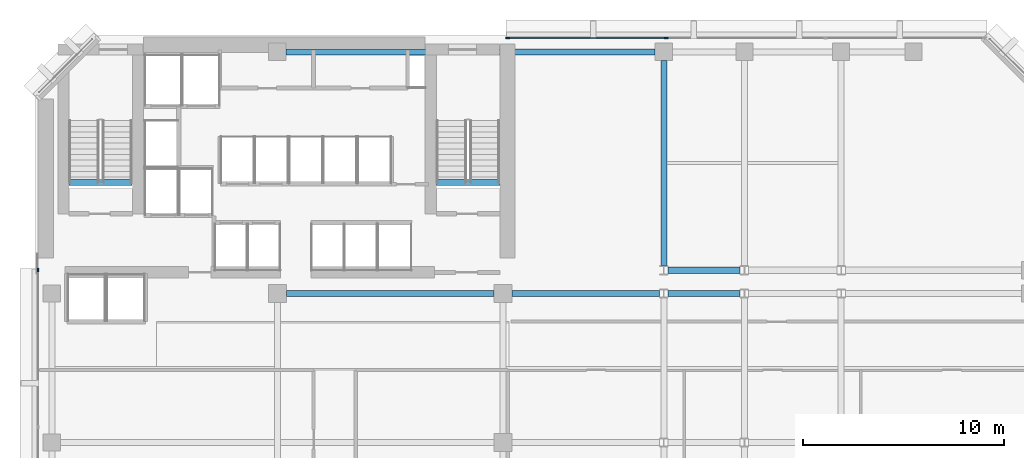
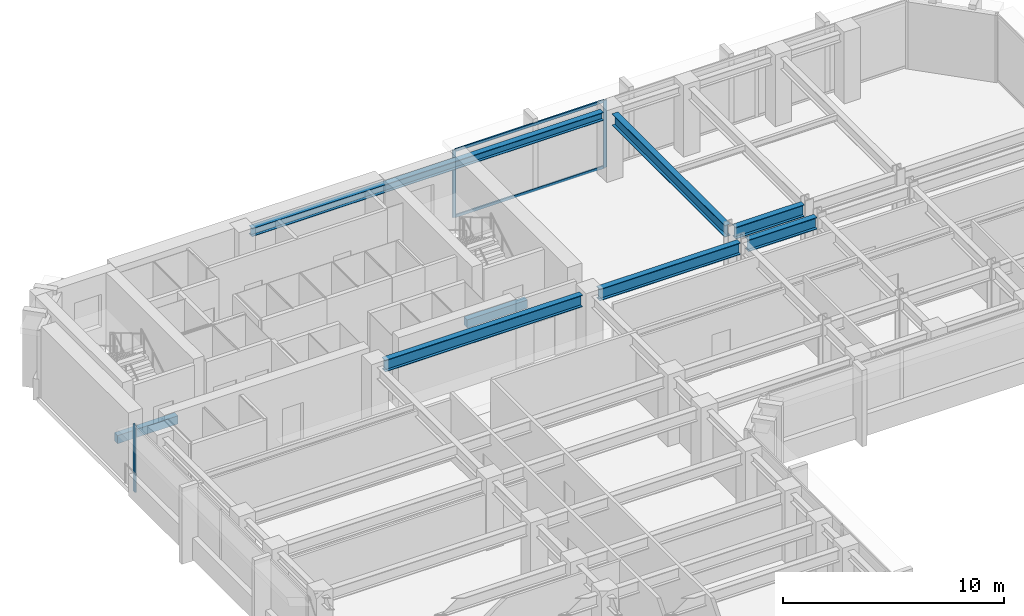
# One storey, part 4 of 12: 8 beams, 5 members, 2 elements without a shape of their own.
"""IFC4 building model written with IfcOpenShell, lengths in metres."""

from ifc_helpers import new_model, si_unit, direction, frame, origin, origin_2d, place, context, subcontext, project, spatial, rectangle, i_section, extrude, material, layer, layer_set, material_profile, profile_set, type_object, element, aggregate, save


model = new_model("IFC4")

# Units and contexts
model_context = context("Model", 3, precision=1e-05, world=origin(), true_north=direction((0.0, 1.0)))
body_context = subcontext(model_context, "Body", "Model", "MODEL_VIEW")
ifc_project = project(units=[si_unit("LENGTHUNIT", "METRE"), si_unit("AREAUNIT", "SQUARE_METRE"), si_unit("VOLUMEUNIT", "CUBIC_METRE"), si_unit("PLANEANGLEUNIT", "RADIAN"), si_unit("MASSUNIT", "GRAM", prefix="KILO")], contexts=[model_context])

# Site, building, storey
site_placement = place(None, origin())
site = spatial("IfcSite", under=ifc_project, at=site_placement, CompositionType="ELEMENT")
building_placement = place(site_placement, origin())
building = spatial("IfcBuilding", under=site, at=building_placement, Name="Kefirva Bronze Tower", CompositionType="ELEMENT")
storey_placement = place(building_placement, frame((0.0, 0.0, 114.510009765625)))
storey = spatial("IfcBuildingStorey", under=building, at=storey_placement, Name="L27", CompositionType="ELEMENT", Elevation=114.510009765625)

# Curtain wall, members
ifc_material_1 = material(Name="Bronze anodised aluminium", Category="aluminium")
ifc_layer = layer(ifc_material_1, 0.199951171875, Name="Bronze anodised aluminium")
ifc_layer_set = layer_set([ifc_layer], Name="Bronze anodised aluminium")
curtain_wall_type = type_object("IfcCurtainWallType", Name="Unitised Bronze Ribbon Curtain Wall Zone 2", PredefinedType="USERDEFINED", material=ifc_layer_set)
curtain_wall_1_placement = place(storey_placement, origin())
curtain_wall_1 = element("IfcCurtainWall", 1, at=curtain_wall_1_placement, inside=storey, type_object=curtain_wall_type, Name="L27 Curtain Wall 5", ObjectType="UNITISED CURTAIN WALL", PredefinedType="USERDEFINED")
ifc_material_profile_1 = material_profile(ifc_material_1, rectangle(XDim=0.074951171875, YDim=0.179931640625, at=origin_2d()), Name="ALU 75x180")
ifc_profile_set_1 = profile_set([ifc_material_profile_1], Name="Bronze anodised aluminium")
member_type_1 = type_object("IfcMemberType", Name="Bronze Mullion 75x180", PredefinedType="MULLION", material=ifc_profile_set_1)
member_1_placement = place(storey_placement, frame((31.318359375, 45.8798828125, 0.0), z_axis=(0.0, 0.0, 1.0), x_axis=(0.0, -1.0, 0.0)))
member_1 = element("IfcMember", 2, at=member_1_placement, type_object=member_type_1, Name="CW-02 mullion 3", PredefinedType="MULLION", context=body_context, shape_type="SweptSolid", body=[
    extrude(rectangle(XDim=0.074951171875, YDim=0.179931640625, at=origin_2d()), origin(), (0.0, 0.0, 1.0), 3.7099609375),
])
member_2_placement = place(storey_placement, frame((23.4423828125, 45.8798828125, 0.0), z_axis=(0.0, 0.0, 1.0), x_axis=(0.0, -1.0, 0.0)))
member_2 = element("IfcMember", 3, at=member_2_placement, type_object=member_type_1, Name="CW-02 mullion 4", PredefinedType="MULLION", context=body_context, shape_type="SweptSolid", body=[
    extrude(rectangle(XDim=0.074951171875, YDim=0.179931640625, at=origin_2d()), origin(), (0.0, 0.0, 1.0), 3.7099609375),
])

# Curtain wall, member
curtain_wall_2_placement = place(storey_placement, origin())
curtain_wall_2 = element("IfcCurtainWall", 4, at=curtain_wall_2_placement, inside=storey, type_object=curtain_wall_type, Name="L27 Curtain Wall 6", ObjectType="UNITISED CURTAIN WALL", PredefinedType="USERDEFINED")
member_3_placement = place(storey_placement, frame((0.1201171875, 34.357421875, 0.0), z_axis=(0.0, 0.0, 1.0), x_axis=(1.0, 0.0, 0.0)))
member_3 = element("IfcMember", 5, at=member_3_placement, type_object=member_type_1, Name="CW-02 mullion 1", PredefinedType="MULLION", context=body_context, shape_type="SweptSolid", body=[
    extrude(rectangle(XDim=0.074951171875, YDim=0.179931640625, at=origin_2d()), origin(), (0.0, 0.0, 1.0), 3.7099609375),
])
aggregate(curtain_wall_2, [member_3])

# Member
ifc_material_profile_2 = material_profile(ifc_material_1, rectangle(XDim=0.074951171875, YDim=0.14990234375, at=origin_2d()), Name="ALU 75x150")
ifc_profile_set_2 = profile_set([ifc_material_profile_2], Name="Bronze anodised aluminium")
member_type_2 = type_object("IfcMemberType", Name="Bronze Transom 75x150", PredefinedType="USERDEFINED", material=ifc_profile_set_2)
member_4_placement = place(storey_placement, frame((31.28076171875, 45.8798828125, 0.03759765625), z_axis=(-1.0, 0.0, 0.0), x_axis=(0.0, -1.0, 0.0)))
member_4 = element("IfcMember", 6, at=member_4_placement, type_object=member_type_2, Name="CW-02 transom 3.1", ObjectType="TRANSOM", PredefinedType="USERDEFINED", context=body_context, shape_type="SweptSolid", body=[
    extrude(rectangle(XDim=0.074951171875, YDim=0.14990234375, at=origin_2d()), origin(), (0.0, 0.0, 1.0), 7.80078125),
])

member_5_placement = place(storey_placement, frame((31.28076171875, 45.8798828125, 3.672607421875), z_axis=(-1.0, 0.0, 0.0), x_axis=(0.0, -1.0, 0.0)))
member_5 = element("IfcMember", 7, at=member_5_placement, type_object=member_type_2, Name="CW-02 transom 3.2", ObjectType="TRANSOM", PredefinedType="USERDEFINED", context=body_context, shape_type="SweptSolid", body=[
    extrude(rectangle(XDim=0.074951171875, YDim=0.14990234375, at=origin_2d()), origin(), (0.0, 0.0, 1.0), 7.80078125),
])

aggregate(curtain_wall_1, [member_1, member_2, member_4, member_5])

# Beams
ifc_material_2 = material(Name="Concrete C50/60", Category="concrete")
ifc_material_profile_3 = material_profile(ifc_material_2, rectangle(XDim=0.300048828125, YDim=0.449951171875, at=origin_2d()), Name="RC 300x450")
ifc_profile_set_3 = profile_set([ifc_material_profile_3], Name="Concrete C50/60")
beam_type_1 = type_object("IfcBeamType", Name="RC Stair Trimmer Beam 300x450", PredefinedType="BEAM", material=ifc_profile_set_3)
beam_1_placement = place(storey_placement, frame((1.64501953125, 38.699951171875, -0.22509765625), z_axis=(1.0, 0.0, 0.0), x_axis=(0.0, 1.0, 0.0)))
element("IfcBeam", 8, at=beam_1_placement, inside=storey, type_object=beam_type_1, Name="L27 Stair 1 Landing Trimmer Beam", PredefinedType="BEAM", context=body_context, shape_type="SweptSolid", body=[
    extrude(rectangle(XDim=0.300048828125, YDim=0.449951171875, at=origin_2d()), origin(), (0.0, 0.0, 1.0), 3.14990234375),
])
beam_2_placement = place(storey_placement, frame((19.89501953125, 38.699951171875, -0.22509765625), z_axis=(1.0, 0.0, 0.0), x_axis=(0.0, 1.0, 0.0)))
element("IfcBeam", 9, at=beam_2_placement, inside=storey, type_object=beam_type_1, Name="L27 Stair 2 Landing Trimmer Beam", PredefinedType="BEAM", context=body_context, shape_type="SweptSolid", body=[
    extrude(rectangle(XDim=0.300048828125, YDim=0.449951171875, at=origin_2d()), origin(), (0.0, 0.0, 1.0), 3.159912109375),
])
ifc_material_3 = material(Name="Steel S355", Category="steel")
ifc_material_profile_4 = material_profile(ifc_material_3, i_section(OverallWidth=0.300048828125, OverallDepth=0.64990234375, WebThickness=0.01611328125, FlangeThickness=0.031005859375, at=origin_2d()), Name="HEB 650")
ifc_profile_set_4 = profile_set([ifc_material_profile_4], Name="Steel S355")
beam_type_2 = type_object("IfcBeamType", Name="Steel Girder HEB 650", PredefinedType="USERDEFINED", material=ifc_profile_set_4)
beam_3_placement = place(storey_placement, frame((12.449951171875, 33.199951171875, 3.385009765625), z_axis=(1.0, 0.0, 0.0), x_axis=(0.0, 1.0, 0.0)))
element("IfcBeam", 10, at=beam_3_placement, inside=storey, type_object=beam_type_2, Name="L27 BM-L27-EW-12-332", ObjectType="GIRDER", PredefinedType="USERDEFINED", context=body_context, shape_type="SweptSolid", body=[
    extrude(i_section(OverallWidth=0.300048828125, OverallDepth=0.64990234375, WebThickness=0.01611328125, FlangeThickness=0.031005859375, at=origin_2d()), origin(), (0.0, 0.0, 1.0), 10.300048828125),
])
beam_4_placement = place(storey_placement, frame((23.64990234375, 33.199951171875, 3.385009765625), z_axis=(1.0, 0.0, 0.0), x_axis=(0.0, 1.0, 0.0)))
element("IfcBeam", 11, at=beam_4_placement, inside=storey, type_object=beam_type_2, Name="L27 BM-L27-EW-23-332", ObjectType="GIRDER", PredefinedType="USERDEFINED", context=body_context, shape_type="SweptSolid", body=[
    extrude(i_section(OverallWidth=0.300048828125, OverallDepth=0.64990234375, WebThickness=0.01611328125, FlangeThickness=0.031005859375, at=origin_2d()), origin(), (0.0, 0.0, 1.0), 7.341064453125),
])
for number, where, z_axis, x_axis, name in (
    (12, (31.408935546875, 33.199951171875, 3.385009765625), (1.0, 0.0, 0.0), (0.0, 1.0, 0.0), "L27 BM-L27-EW-31-332"),
    (13, (31.408935546875, 34.35009765625, 3.385009765625), (1.0, 0.0, 0.0), (0.0, 1.0, 0.0), "L27 BM-L27-EW-31-344"),
):
    element("IfcBeam", number, at=place(storey_placement, frame(where, z_axis=z_axis, x_axis=x_axis)), inside=storey, type_object=beam_type_2, Name=name, ObjectType="GIRDER", PredefinedType="USERDEFINED", context=body_context, shape_type="SweptSolid", body=[
        extrude(i_section(OverallWidth=0.300048828125, OverallDepth=0.64990234375, WebThickness=0.01611328125, FlangeThickness=0.031005859375, at=origin_2d()), origin(), (0.0, 0.0, 1.0), 3.58203125),
    ])
beam_5_placement = place(storey_placement, frame((31.199951171875, 34.577392578125, 3.385009765625), z_axis=(0.0, 1.0, 0.0), x_axis=(-1.0, 0.0, 0.0)))
element("IfcBeam", 14, at=beam_5_placement, inside=storey, type_object=beam_type_2, Name="L27 BM-L27-NS-312-34", ObjectType="GIRDER", PredefinedType="USERDEFINED", context=body_context, shape_type="SweptSolid", body=[
    extrude(i_section(OverallWidth=0.300048828125, OverallDepth=0.64990234375, WebThickness=0.01611328125, FlangeThickness=0.031005859375, at=origin_2d()), origin(), (0.0, 0.0, 1.0), 10.192626953125),
])
ifc_material_profile_5 = material_profile(ifc_material_3, i_section(OverallWidth=0.300048828125, OverallDepth=0.449951171875, WebThickness=0.013916015625, FlangeThickness=0.02587890625, at=origin_2d()), Name="HEB 450")
ifc_profile_set_5 = profile_set([ifc_material_profile_5], Name="Steel S355")
beam_type_3 = type_object("IfcBeamType", Name="Steel Spandrel HEB 450 Ext", PredefinedType="SPANDREL", material=ifc_profile_set_5)
beam_6_placement = place(storey_placement, frame((12.429931640625, 45.199951171875, 3.485107421875), z_axis=(1.0, 0.0, 0.0), x_axis=(0.0, 1.0, 0.0)))
element("IfcBeam", 15, at=beam_6_placement, inside=storey, type_object=beam_type_3, Name="L27 BM-L27-EW-12-452", PredefinedType="SPANDREL", context=body_context, shape_type="SweptSolid", body=[
    extrude(i_section(OverallWidth=0.300048828125, OverallDepth=0.449951171875, WebThickness=0.013916015625, FlangeThickness=0.02587890625, at=origin_2d()), origin(), (0.0, 0.0, 1.0), 18.340087890625),
])

save(model, "model.ifc")
